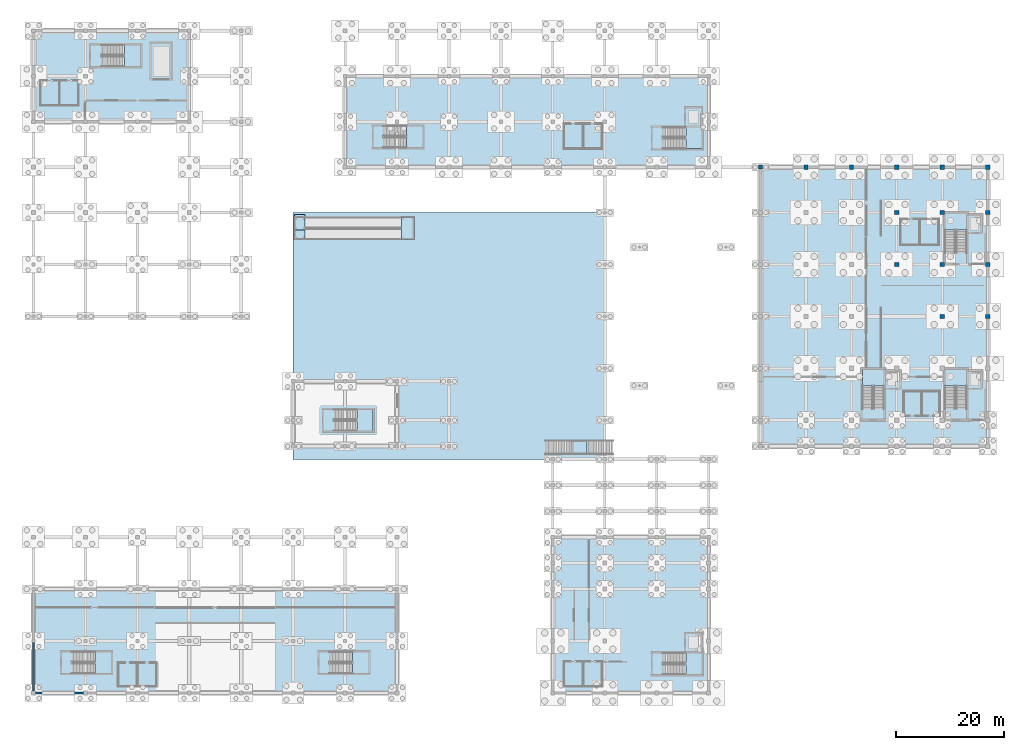
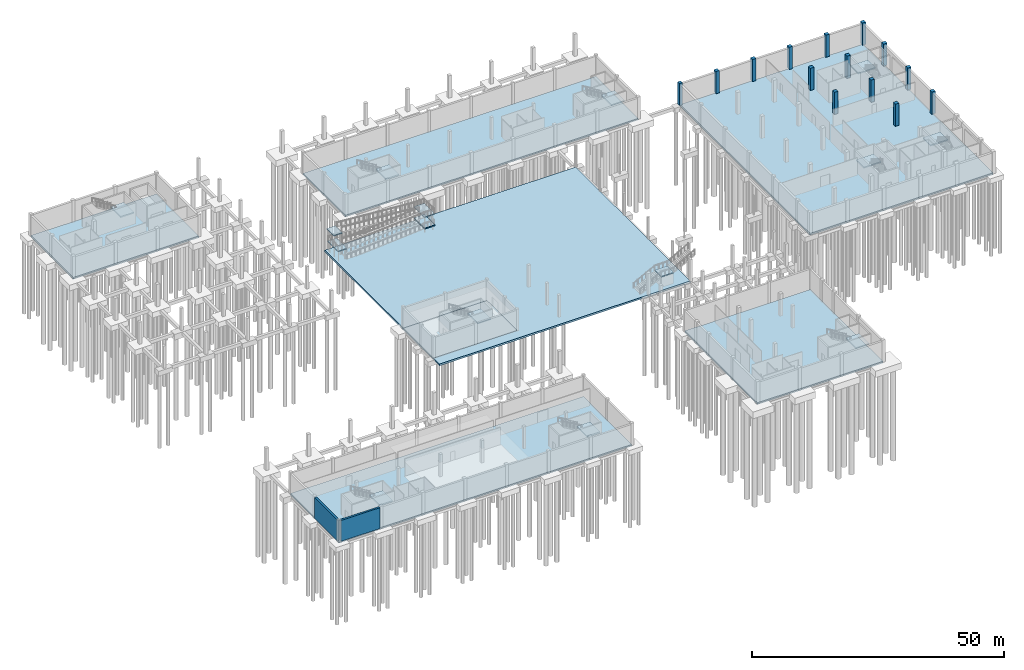
# One storey, part 21 of 41: 22 slabs, 14 columns, 2 walls, 12 elements without a shape of their own.
"""IFC4 building model written with IfcOpenShell, lengths in metres."""

from ifc_helpers import new_model, si_unit, direction, frame, frame_2d, origin, origin_2d, place, context, subcontext, project, spatial, polyline, rectangle, outline, extrude, material, layer, layer_set, material_profile, profile_set, type_object, element, aggregate, save


model = new_model("IFC4")

# Units and contexts
model_context = context("Model", 3, precision=1e-05, world=origin(), true_north=direction((0.0, 1.0)))
body_context = subcontext(model_context, "Body", "Model", "MODEL_VIEW")
ifc_project = project(units=[si_unit("LENGTHUNIT", "METRE"), si_unit("AREAUNIT", "SQUARE_METRE"), si_unit("VOLUMEUNIT", "CUBIC_METRE"), si_unit("PLANEANGLEUNIT", "RADIAN"), si_unit("MASSUNIT", "GRAM", prefix="KILO")], contexts=[model_context])

# Site, building, storey
site_placement = place(None, origin())
site = spatial("IfcSite", under=ifc_project, at=site_placement, CompositionType="ELEMENT")
building_placement = place(site_placement, origin())
building = spatial("IfcBuilding", under=site, at=building_placement, Name="Shalvenor Court Art Gallery", CompositionType="ELEMENT")
storey_placement = place(building_placement, frame((0.0, 0.0, -5.39990234375)))
storey = spatial("IfcBuildingStorey", under=building, at=storey_placement, Name="B01", CompositionType="ELEMENT", Elevation=-5.39990234375)

# Columns
ifc_material_1 = material(Name="Concrete C40/50", Category="concrete")
ifc_material_profile_1 = material_profile(ifc_material_1, rectangle(XDim=0.800048828125, YDim=0.800048828125, at=origin_2d()), Name="RC 800x800")
ifc_profile_set_1 = profile_set([ifc_material_profile_1], Name="Concrete C40/50")
column_type_1 = type_object("IfcColumnType", Name="C-01", PredefinedType="COLUMN", material=ifc_profile_set_1)
for number, where, z_axis, x_axis, name in (
    (1, (159.60009765625, 79.199951171875, 0.0), (0.0, 0.0, 1.0), (1.0, 0.0, 0.0), "B01 Column COL-B01-C-01-0656"),
    (2, (159.60009765625, 88.800048828125, 0.0), (0.0, 0.0, 1.0), (1.0, 0.0, 0.0), "B01 Column COL-B01-C-01-0663"),
    (3, (168.0, 69.60009765625, 0.0), (0.0, 0.0, 1.0), (1.0, 0.0, 0.0), "B01 Column COL-B01-C-01-0698"),
    (4, (168.0, 79.199951171875, 0.0), (0.0, 0.0, 1.0), (1.0, 0.0, 0.0), "B01 Column COL-B01-C-01-0705"),
    (5, (168.0, 88.800048828125, 0.0), (0.0, 0.0, 1.0), (1.0, 0.0, 0.0), "B01 Column COL-B01-C-01-0712"),
):
    element("IfcColumn", number, at=place(storey_placement, frame(where, z_axis=z_axis, x_axis=x_axis)), inside=storey, type_object=column_type_1, Name=name, PredefinedType="COLUMN", context=body_context, shape_type="SweptSolid", body=[
        extrude(rectangle(XDim=0.800048828125, YDim=0.800048828125, at=origin_2d()), origin(), (0.0, 0.0, 1.0), 5.39990234375),
    ])
ifc_material_2 = material(Name="Concrete C40/50", Category="concrete")
ifc_material_profile_2 = material_profile(ifc_material_2, rectangle(XDim=0.800048828125, YDim=0.800048828125, at=origin_2d()), Name="RC 800x800")
ifc_profile_set_2 = profile_set([ifc_material_profile_2], Name="Concrete C40/50")
column_type_2 = type_object("IfcColumnType", Name="C-01E", PredefinedType="COLUMN", material=ifc_profile_set_2)
for number, where, z_axis, x_axis, name in (
    (6, (142.800048828125, 97.199951171875, 0.0), (0.0, 0.0, 1.0), (1.0, 0.0, 0.0), "B01 Column COL-B01-C-01E-0587"),
    (7, (151.199951171875, 97.199951171875, 0.0), (0.0, 0.0, 1.0), (1.0, 0.0, 0.0), "B01 Column COL-B01-C-01E-0629"),
    (8, (159.60009765625, 97.199951171875, 0.0), (0.0, 0.0, 1.0), (1.0, 0.0, 0.0), "B01 Column COL-B01-C-01E-0670"),
    (9, (168.0, 97.199951171875, 0.0), (0.0, 0.0, 1.0), (1.0, 0.0, 0.0), "B01 Column COL-B01-C-01E-0719"),
    (10, (176.39990234375, 69.60009765625, 0.0), (0.0, 0.0, 1.0), (1.0, 0.0, 0.0), "B01 Column COL-B01-C-01E-0747"),
    (11, (176.39990234375, 79.199951171875, 0.0), (0.0, 0.0, 1.0), (1.0, 0.0, 0.0), "B01 Column COL-B01-C-01E-0754"),
    (12, (176.39990234375, 88.800048828125, 0.0), (0.0, 0.0, 1.0), (1.0, 0.0, 0.0), "B01 Column COL-B01-C-01E-0761"),
    (13, (176.39990234375, 97.199951171875, 0.0), (0.0, 0.0, 1.0), (1.0, 0.0, 0.0), "B01 Column COL-B01-C-01E-0768"),
):
    element("IfcColumn", number, at=place(storey_placement, frame(where, z_axis=z_axis, x_axis=x_axis)), inside=storey, type_object=column_type_2, Name=name, PredefinedType="COLUMN", context=body_context, shape_type="SweptSolid", body=[
        extrude(rectangle(XDim=0.800048828125, YDim=0.800048828125, at=origin_2d()), origin(), (0.0, 0.0, 1.0), 5.39990234375),
    ])
ifc_material_3 = material(Name="Concrete C40/50", Category="concrete")
ifc_material_profile_3 = material_profile(ifc_material_3, rectangle(XDim=0.699951171875, YDim=0.699951171875, at=origin_2d()), Name="RC 700x700")
ifc_profile_set_3 = profile_set([ifc_material_profile_3], Name="Concrete C40/50")
column_type_3 = type_object("IfcColumnType", Name="C-02E", PredefinedType="COLUMN", material=ifc_profile_set_3)
column_placement = place(storey_placement, frame((134.39990234375, 97.199951171875, 0.0), z_axis=(0.0, 0.0, 1.0), x_axis=(1.0, 0.0, 0.0)))
element("IfcColumn", 14, at=column_placement, inside=storey, type_object=column_type_3, Name="B01 Column COL-B01-C-02E-0549", PredefinedType="COLUMN", context=body_context, shape_type="SweptSolid", body=[
    extrude(rectangle(XDim=0.699951171875, YDim=0.699951171875, at=origin_2d()), origin(), (0.0, 0.0, 1.0), 5.39990234375),
])

# Slabs
ifc_material_4 = material(Name="Concrete C35/45", Category="concrete")
ifc_layer_1 = layer(ifc_material_4, 0.419921875, Name="Concrete C35/45")
ifc_layer_set_1 = layer_set([ifc_layer_1], Name="Concrete C35/45")
slab_type_1 = type_object("IfcSlabType", Name="BS-420", PredefinedType="BASESLAB", material=ifc_layer_set_1)
slab_1_placement = place(storey_placement, frame((0.0, 0.0, -0.420166015625)))
element("IfcSlab", 15, at=slab_1_placement, inside=storey, type_object=slab_type_1, Name="B01 V2 Base Slab", PredefinedType="BASESLAB", context=body_context, shape_type="SweptSolid", body=[
    extrude(outline(polyline([(124.800048828125, 97.199951171875), (124.800048828125, 114.0), (57.60009765625, 114.0), (57.60009765625, 97.199951171875), (124.800048828125, 97.199951171875)])), origin(), (0.0, 0.0, 1.0), 0.420166015625),
])
slab_2_placement = place(storey_placement, frame((0.0, 0.0, -0.420166015625)))
element("IfcSlab", 16, at=slab_2_placement, inside=storey, type_object=slab_type_1, Name="B01 V6 Base Slab", PredefinedType="BASESLAB", context=body_context, shape_type="SweptSolid", body=[
    extrude(outline(polyline([(67.199951171875, 45.60009765625), (67.199951171875, 57.60009765625), (48.0, 57.60009765625), (48.0, 45.60009765625), (67.199951171875, 45.60009765625)])), origin(), (0.0, 0.0, 1.0), 0.420166015625),
])
ifc_material_5 = material(Name="Concrete C35/45", Category="concrete")
ifc_layer_2 = layer(ifc_material_5, 0.429931640625, Name="Concrete C35/45")
ifc_layer_set_2 = layer_set([ifc_layer_2], Name="Concrete C35/45")
slab_type_2 = type_object("IfcSlabType", Name="BS-430", PredefinedType="BASESLAB", material=ifc_layer_set_2)
slab_3_placement = place(storey_placement, frame((0.0, 0.0, -0.43017578125)))
element("IfcSlab", 17, at=slab_3_placement, inside=storey, type_object=slab_type_2, Name="B01 Sunken Metro Forecourt Plaza Slab", PredefinedType="BASESLAB", context=body_context, shape_type="SweptSolid", body=[
    extrude(outline(polyline([(48.0, 45.60009765625), (67.199951171875, 45.60009765625), (67.199951171875, 57.60009765625), (48.0, 57.60009765625), (48.0, 88.800048828125), (105.60009765625, 88.800048828125), (105.60009765625, 43.199951171875), (48.0, 43.199951171875), (48.0, 45.60009765625)])), origin(), (0.0, 0.0, 1.0), 0.43017578125),
])
ifc_material_6 = material(Name="Concrete C35/45", Category="concrete")
ifc_layer_3 = layer(ifc_material_6, 0.43994140625, Name="Concrete C35/45")
ifc_layer_set_3 = layer_set([ifc_layer_3], Name="Concrete C35/45")
slab_type_3 = type_object("IfcSlabType", Name="BS-440", PredefinedType="BASESLAB", material=ifc_layer_set_3)
slab_4_placement = place(storey_placement, frame((0.0, 0.0, -0.440185546875)))
element("IfcSlab", 18, at=slab_4_placement, inside=storey, type_object=slab_type_3, Name="B01 V3 Base Slab", PredefinedType="BASESLAB", context=body_context, shape_type="SweptSolid", body=[
    extrude(outline(polyline([(124.800048828125, 0.0), (124.800048828125, 28.800048828125), (96.0, 28.800048828125), (96.0, 0.0), (124.800048828125, 0.0)])), origin(), (0.0, 0.0, 1.0), 0.440185546875),
])
slab_5_placement = place(storey_placement, frame((0.0, 0.0, -0.440185546875)))
element("IfcSlab", 19, at=slab_5_placement, inside=storey, type_object=slab_type_3, Name="B01 V4 Base Slab", PredefinedType="BASESLAB", context=body_context, shape_type="SweptSolid", body=[
    extrude(outline(polyline([(67.199951171875, 0.0), (67.199951171875, 19.199951171875), (0.0, 19.199951171875), (0.0, 0.0), (67.199951171875, 0.0)])), origin(), (0.0, 0.0, 1.0), 0.440185546875),
])
ifc_material_7 = material(Name="Concrete C35/45", Category="concrete")
ifc_layer_4 = layer(ifc_material_7, 0.4599609375, Name="Concrete C35/45")
ifc_layer_set_4 = layer_set([ifc_layer_4], Name="Concrete C35/45")
slab_type_4 = type_object("IfcSlabType", Name="BS-460", PredefinedType="BASESLAB", material=ifc_layer_set_4)
slab_6_placement = place(storey_placement, frame((0.0, 0.0, -0.460205078125)))
element("IfcSlab", 20, at=slab_6_placement, inside=storey, type_object=slab_type_4, Name="B01 V1 Base Slab", PredefinedType="BASESLAB", context=body_context, shape_type="SweptSolid", body=[
    extrude(outline(polyline([(176.39990234375, 45.60009765625), (176.39990234375, 97.199951171875), (134.39990234375, 97.199951171875), (134.39990234375, 45.60009765625), (176.39990234375, 45.60009765625)])), origin(), (0.0, 0.0, 1.0), 0.460205078125),
])
slab_7_placement = place(storey_placement, frame((0.0, 0.0, -0.460205078125)))
element("IfcSlab", 21, at=slab_7_placement, inside=storey, type_object=slab_type_4, Name="B01 V5 Base Slab", PredefinedType="BASESLAB", context=body_context, shape_type="SweptSolid", body=[
    extrude(outline(polyline([(28.800048828125, 105.60009765625), (28.800048828125, 122.39990234375), (0.0, 122.39990234375), (0.0, 105.60009765625), (28.800048828125, 105.60009765625)])), origin(), (0.0, 0.0, 1.0), 0.460205078125),
])

# Ramp, slabs
ifc_material_8 = material(Name="Concrete C40/50", Category="concrete")
ramp_type = type_object("IfcRampType", Name="RMP-01", PredefinedType="STRAIGHT_RUN_RAMP", material=ifc_material_8)
ramp_placement = place(storey_placement, origin())
ramp = element("IfcRamp", 22, at=ramp_placement, inside=storey, type_object=ramp_type, Name="Accessible Sunken Forecourt Stone Ramp RMP-01", PredefinedType="STRAIGHT_RUN_RAMP")
ifc_material_9 = material(Name="Concrete C40/50", Category="concrete")
ifc_layer_5 = layer(ifc_material_9, 0.239990234375, Name="Concrete C40/50")
ifc_layer_set_5 = layer_set([ifc_layer_5], Name="Concrete C40/50")
slab_type_5 = type_object("IfcSlabType", Name="RL-240", PredefinedType="LANDING", material=ifc_layer_set_5)
slab_8_placement = place(storey_placement, frame((0.0, 0.0, 1.10986328125)))
slab_8 = element("IfcSlab", 23, at=slab_8_placement, type_object=slab_type_5, Name="Accessible Ramp Landing 1", PredefinedType="LANDING", context=body_context, shape_type="SweptSolid", body=[
    extrude(outline(polyline([(68.0, 83.800048828125), (70.39990234375, 83.800048828125), (70.39990234375, 88.0), (68.0, 88.0), (68.0, 83.800048828125)])), origin(), (0.0, 0.0, 1.0), 0.239990234375),
])
slab_9_placement = place(storey_placement, frame((0.0, 0.0, 2.4599609375)))
slab_9 = element("IfcSlab", 24, at=slab_9_placement, type_object=slab_type_5, Name="Accessible Ramp Landing 2", PredefinedType="LANDING", context=body_context, shape_type="SweptSolid", body=[
    extrude(outline(polyline([(48.199951171875, 83.800048828125), (50.199951171875, 83.800048828125), (50.199951171875, 88.0), (48.199951171875, 88.0), (48.199951171875, 83.800048828125)])), origin(), (0.0, 0.0, 1.0), 0.239990234375),
])
slab_10_placement = place(storey_placement, frame((0.0, 0.0, 3.809814453125)))
slab_10 = element("IfcSlab", 25, at=slab_10_placement, type_object=slab_type_5, Name="Accessible Ramp Landing 3", PredefinedType="LANDING", context=body_context, shape_type="SweptSolid", body=[
    extrude(outline(polyline([(68.0, 83.800048828125), (70.39990234375, 83.800048828125), (70.39990234375, 88.0), (68.0, 88.0), (68.0, 83.800048828125)])), origin(), (0.0, 0.0, 1.0), 0.239990234375),
])
slab_11_placement = place(storey_placement, frame((0.0, 0.0, 5.159912109375)))
slab_11 = element("IfcSlab", 26, at=slab_11_placement, type_object=slab_type_5, Name="Accessible Ramp Top Arrival Landing", PredefinedType="LANDING", context=body_context, shape_type="SweptSolid", body=[
    extrude(outline(polyline([(48.199951171875, 85.60009765625), (50.199951171875, 85.60009765625), (50.199951171875, 88.39990234375), (48.199951171875, 88.39990234375), (48.199951171875, 85.60009765625)])), origin(), (0.0, 0.0, 1.0), 0.239990234375),
])
aggregate(ramp, [slab_8, slab_9, slab_10, slab_11])

# Stair, slab
ifc_material_10 = material(Name="Concrete C40/50", Category="concrete")
stair_type_1 = type_object("IfcStairType", Name="ST-T1-TP", PredefinedType="STRAIGHT_RUN_STAIR", material=ifc_material_10)
stair_1_placement = place(storey_placement, origin())
stair_1 = element("IfcStair", 27, at=stair_1_placement, inside=storey, type_object=stair_type_1, Name="Sunken Forecourt Grand Terrace Stair 1", PredefinedType="STRAIGHT_RUN_STAIR")
ifc_material_11 = material(Name="Concrete C40/50", Category="concrete")
ifc_layer_6 = layer(ifc_material_11, 0.219970703125, Name="Concrete C40/50")
ifc_layer_set_6 = layer_set([ifc_layer_6], Name="Concrete C40/50")
slab_type_6 = type_object("IfcSlabType", Name="SLD-220", PredefinedType="LANDING", material=ifc_layer_set_6)
slab_12_placement = place(storey_placement, frame((0.0, 0.0, 2.47998046875)))
slab_12 = element("IfcSlab", 28, at=slab_12_placement, type_object=slab_type_6, Name="ST-T1-TP landing 1", PredefinedType="LANDING", context=body_context, shape_type="SweptSolid", body=[
    extrude(outline(polyline([(99.39990234375, 44.10009765625), (102.300048828125, 44.10009765625), (102.300048828125, 46.699951171875), (99.39990234375, 46.699951171875), (99.39990234375, 44.10009765625)])), origin(), (0.0, 0.0, 1.0), 0.219970703125),
])
aggregate(stair_1, [slab_12])

ifc_material_12 = material(Name="Concrete C40/50", Category="concrete")
stair_type_2 = type_object("IfcStairType", Name="ST-DL-32R-1900", PredefinedType="HALF_TURN_STAIR", material=ifc_material_12)
stair_2_placement = place(storey_placement, origin())
stair_2 = element("IfcStair", 29, at=stair_2_placement, inside=storey, type_object=stair_type_2, Name="B01 Core Dogleg Stair ST-01", PredefinedType="HALF_TURN_STAIR")
ifc_material_13 = material(Name="Concrete C40/50", Category="concrete")
ifc_layer_7 = layer(ifc_material_13, 0.300048828125, Name="Concrete C40/50")
ifc_layer_set_7 = layer_set([ifc_layer_7], Name="Concrete C40/50")
slab_type_7 = type_object("IfcSlabType", Name="SLD-300", PredefinedType="LANDING", material=ifc_layer_set_7)
slab_13_placement = place(storey_placement, frame((0.0, 0.0, 2.39990234375)))
slab_13 = element("IfcSlab", 30, at=slab_13_placement, type_object=slab_type_7, Name="ST-DL-32R-1900 landing 1", PredefinedType="LANDING", context=body_context, shape_type="SweptSolid", body=[
    extrude(outline(polyline([(172.5, 85.574951171875), (172.5, 88.60009765625), (168.5, 88.60009765625), (168.5, 85.574951171875), (172.5, 85.574951171875)])), origin(), (0.0, 0.0, 1.0), 0.300048828125),
])
aggregate(stair_2, [slab_13])

stair_3_placement = place(storey_placement, origin())
stair_3 = element("IfcStair", 31, at=stair_3_placement, inside=storey, type_object=stair_type_2, Name="B01 Core Dogleg Stair ST-02", PredefinedType="HALF_TURN_STAIR")
slab_14_placement = place(storey_placement, frame((0.0, 0.0, 2.39990234375)))
slab_14 = element("IfcSlab", 32, at=slab_14_placement, type_object=slab_type_7, Name="ST-DL-32R-1900 landing 1", PredefinedType="LANDING", context=body_context, shape_type="SweptSolid", body=[
    extrude(outline(polyline([(172.5, 56.77490234375), (172.5, 59.800048828125), (168.5, 59.800048828125), (168.5, 56.77490234375), (172.5, 56.77490234375)])), origin(), (0.0, 0.0, 1.0), 0.300048828125),
])
aggregate(stair_3, [slab_14])

stair_4_placement = place(storey_placement, origin())
stair_4 = element("IfcStair", 33, at=stair_4_placement, inside=storey, type_object=stair_type_2, Name="B01 Core Dogleg Stair ST-03", PredefinedType="HALF_TURN_STAIR")
slab_15_placement = place(storey_placement, frame((0.0, 0.0, 2.39990234375)))
slab_15 = element("IfcSlab", 34, at=slab_15_placement, type_object=slab_type_7, Name="ST-DL-32R-1900 landing 1", PredefinedType="LANDING", context=body_context, shape_type="SweptSolid", body=[
    extrude(outline(polyline([(157.199951171875, 56.77490234375), (157.199951171875, 59.800048828125), (153.199951171875, 59.800048828125), (153.199951171875, 56.77490234375), (157.199951171875, 56.77490234375)])), origin(), (0.0, 0.0, 1.0), 0.300048828125),
])
aggregate(stair_4, [slab_15])

stair_5_placement = place(storey_placement, origin())
stair_5 = element("IfcStair", 35, at=stair_5_placement, inside=storey, type_object=stair_type_2, Name="B01 Core Dogleg Stair ST-04", PredefinedType="HALF_TURN_STAIR")
slab_16_placement = place(storey_placement, frame((0.0, 0.0, 2.39990234375)))
slab_16 = element("IfcSlab", 36, at=slab_16_placement, type_object=slab_type_7, Name="ST-DL-32R-1900 landing 1", PredefinedType="LANDING", context=body_context, shape_type="SweptSolid", body=[
    extrude(outline(polyline([(120.574951171875, 3.39990234375), (123.60009765625, 3.39990234375), (123.60009765625, 7.39990234375), (120.574951171875, 7.39990234375), (120.574951171875, 3.39990234375)])), origin(), (0.0, 0.0, 1.0), 0.300048828125),
])
aggregate(stair_5, [slab_16])

stair_6_placement = place(storey_placement, origin())
stair_6 = element("IfcStair", 37, at=stair_6_placement, inside=storey, type_object=stair_type_2, Name="B01 Core Dogleg Stair ST-05", PredefinedType="HALF_TURN_STAIR")
slab_17_placement = place(storey_placement, frame((0.0, 0.0, 2.39990234375)))
slab_17 = element("IfcSlab", 38, at=slab_17_placement, type_object=slab_type_7, Name="ST-DL-32R-1900 landing 1", PredefinedType="LANDING", context=body_context, shape_type="SweptSolid", body=[
    extrude(outline(polyline([(120.574951171875, 100.60009765625), (123.60009765625, 100.60009765625), (123.60009765625, 104.60009765625), (120.574951171875, 104.60009765625), (120.574951171875, 100.60009765625)])), origin(), (0.0, 0.0, 1.0), 0.300048828125),
])
aggregate(stair_6, [slab_17])

stair_7_placement = place(storey_placement, origin())
stair_7 = element("IfcStair", 39, at=stair_7_placement, inside=storey, type_object=stair_type_2, Name="B01 Core Dogleg Stair ST-06", PredefinedType="HALF_TURN_STAIR")
slab_18_placement = place(storey_placement, frame((0.0, 0.0, 2.39990234375)))
slab_18 = element("IfcSlab", 40, at=slab_18_placement, type_object=slab_type_7, Name="ST-DL-32R-1900 landing 1", PredefinedType="LANDING", context=body_context, shape_type="SweptSolid", body=[
    extrude(outline(polyline([(16.77490234375, 115.800048828125), (19.800048828125, 115.800048828125), (19.800048828125, 119.800048828125), (16.77490234375, 119.800048828125), (16.77490234375, 115.800048828125)])), origin(), (0.0, 0.0, 1.0), 0.300048828125),
])
aggregate(stair_7, [slab_18])

stair_8_placement = place(storey_placement, origin())
stair_8 = element("IfcStair", 41, at=stair_8_placement, inside=storey, type_object=stair_type_2, Name="B01 Core Dogleg Stair ST-07", PredefinedType="HALF_TURN_STAIR")
slab_19_placement = place(storey_placement, frame((0.0, 0.0, 2.39990234375)))
slab_19 = element("IfcSlab", 42, at=slab_19_placement, type_object=slab_type_7, Name="ST-DL-32R-1900 landing 1", PredefinedType="LANDING", context=body_context, shape_type="SweptSolid", body=[
    extrude(outline(polyline([(11.375, 3.60009765625), (14.39990234375, 3.60009765625), (14.39990234375, 7.60009765625), (11.375, 7.60009765625), (11.375, 3.60009765625)])), origin(), (0.0, 0.0, 1.0), 0.300048828125),
])
aggregate(stair_8, [slab_19])

stair_9_placement = place(storey_placement, origin())
stair_9 = element("IfcStair", 43, at=stair_9_placement, inside=storey, type_object=stair_type_2, Name="B01 Core Dogleg Stair ST-08", PredefinedType="HALF_TURN_STAIR")
slab_20_placement = place(storey_placement, frame((0.0, 0.0, 2.39990234375)))
slab_20 = element("IfcSlab", 44, at=slab_20_placement, type_object=slab_type_7, Name="ST-DL-32R-1900 landing 1", PredefinedType="LANDING", context=body_context, shape_type="SweptSolid", body=[
    extrude(outline(polyline([(58.97509765625, 3.60009765625), (62.0, 3.60009765625), (62.0, 7.60009765625), (58.97509765625, 7.60009765625), (58.97509765625, 3.60009765625)])), origin(), (0.0, 0.0, 1.0), 0.300048828125),
])
aggregate(stair_9, [slab_20])

stair_10_placement = place(storey_placement, origin())
stair_10 = element("IfcStair", 45, at=stair_10_placement, inside=storey, type_object=stair_type_2, Name="B01 Core Dogleg Stair ST-09", PredefinedType="HALF_TURN_STAIR")
slab_21_placement = place(storey_placement, frame((0.0, 0.0, 2.39990234375)))
slab_21 = element("IfcSlab", 46, at=slab_21_placement, type_object=slab_type_7, Name="ST-DL-32R-1900 landing 1", PredefinedType="LANDING", context=body_context, shape_type="SweptSolid", body=[
    extrude(outline(polyline([(68.97509765625, 100.800048828125), (72.0, 100.800048828125), (72.0, 104.800048828125), (68.97509765625, 104.800048828125), (68.97509765625, 100.800048828125)])), origin(), (0.0, 0.0, 1.0), 0.300048828125),
])
aggregate(stair_10, [slab_21])

stair_11_placement = place(storey_placement, origin())
stair_11 = element("IfcStair", 47, at=stair_11_placement, inside=storey, type_object=stair_type_2, Name="B01 Core Dogleg Stair ST-10", PredefinedType="HALF_TURN_STAIR")
slab_22_placement = place(storey_placement, frame((0.0, 0.0, 2.39990234375)))
slab_22 = element("IfcSlab", 48, at=slab_22_placement, type_object=slab_type_7, Name="ST-DL-32R-1900 landing 1", PredefinedType="LANDING", context=body_context, shape_type="SweptSolid", body=[
    extrude(outline(polyline([(59.77490234375, 48.39990234375), (62.800048828125, 48.39990234375), (62.800048828125, 52.39990234375), (59.77490234375, 52.39990234375), (59.77490234375, 48.39990234375)])), origin(), (0.0, 0.0, 1.0), 0.300048828125),
])
aggregate(stair_11, [slab_22])

# Walls
ifc_material_14 = material(Name="Concrete C40/50", Category="concrete")
ifc_layer_8 = layer(ifc_material_14, 0.43994140625, Name="Concrete C40/50")
ifc_layer_set_8 = layer_set([ifc_layer_8], Name="Concrete C40/50")
wall_type = type_object("IfcWallType", Name="RW-02", PredefinedType="USERDEFINED", material=ifc_layer_set_8)
wall_1_placement = place(storey_placement, frame((9.25, 0.0, 0.0), z_axis=(0.0, 0.0, 1.0), x_axis=(-1.0, 0.0, 0.0)))
element("IfcWall", 49, at=wall_1_placement, inside=storey, type_object=wall_type, Name="B01 Retaining Wall WL-B01-0236", ObjectType="RETAINING WALL", PredefinedType="USERDEFINED", context=body_context, shape_type="SweptSolid", body=[
    extrude(rectangle(XDim=8.89990234375, YDim=0.43994140625, at=frame_2d((4.449951171875, 0.0))), origin(), (0.0, 0.0, 1.0), 5.059814453125),
])
wall_2_placement = place(storey_placement, frame((0.0, 0.35009765625, 0.0), z_axis=(0.0, 0.0, 1.0), x_axis=(0.0, 1.0, 0.0)))
element("IfcWall", 50, at=wall_2_placement, inside=storey, type_object=wall_type, Name="B01 Retaining Wall WL-B01-0237", ObjectType="RETAINING WALL", PredefinedType="USERDEFINED", context=body_context, shape_type="SweptSolid", body=[
    extrude(rectangle(XDim=8.949951171875, YDim=0.43994140625, at=frame_2d((4.47509765625, 0.0))), origin(), (0.0, 0.0, 1.0), 5.059814453125),
])

save(model, "model.ifc")
